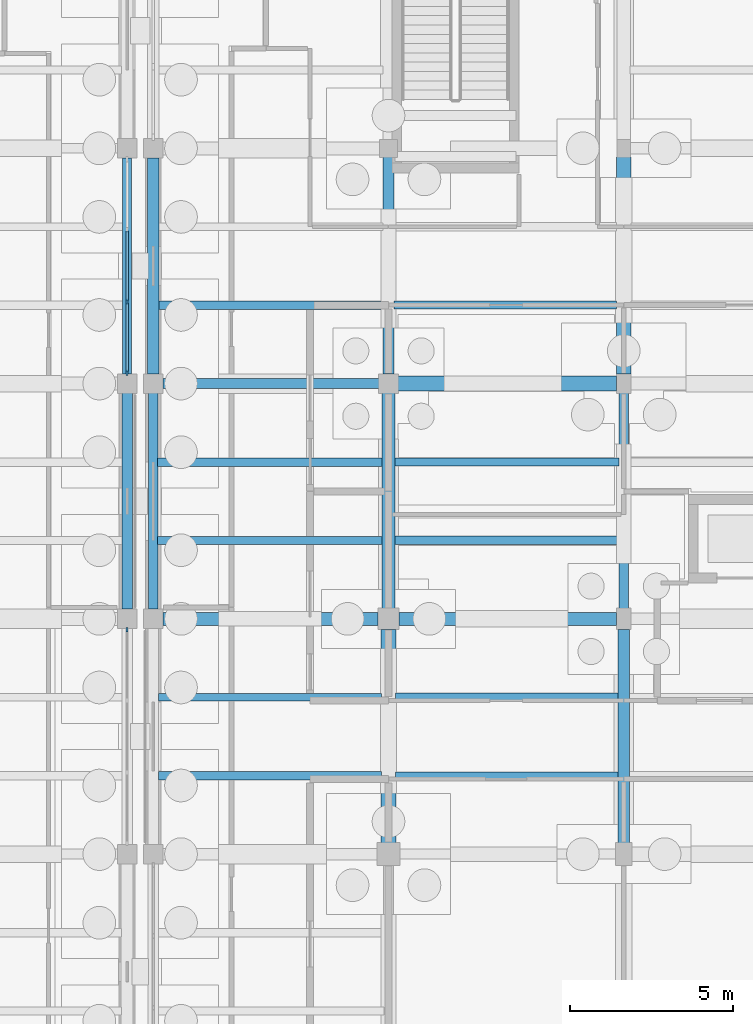
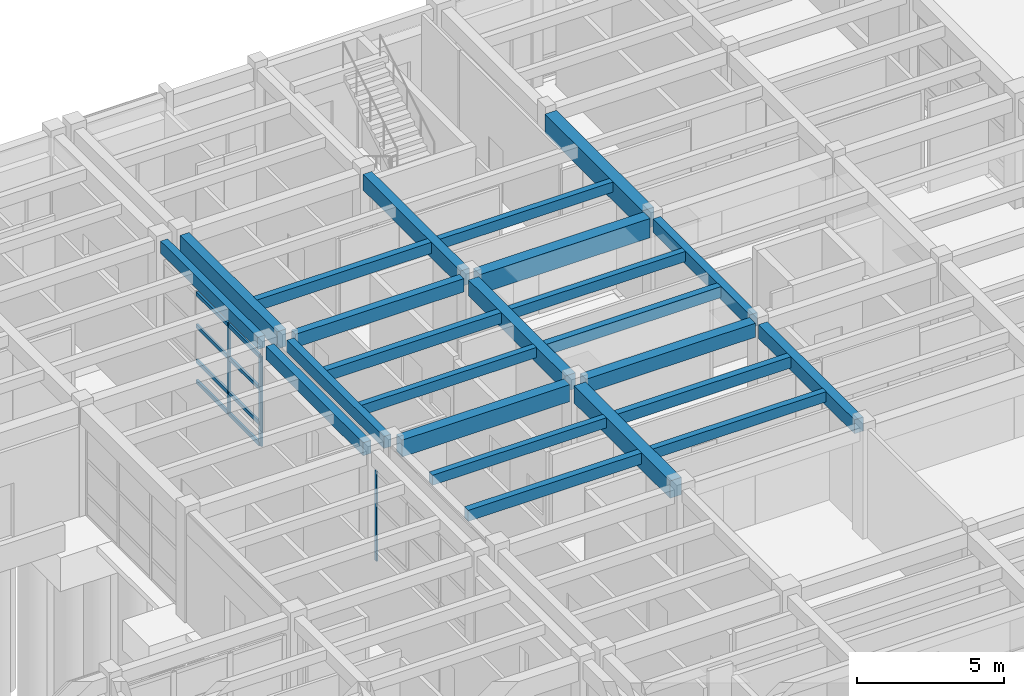
# One storey, part 69 of 143: 24 beams, 11 members, 2 elements without a shape of their own.
"""IFC4 building model written with IfcOpenShell, lengths in metres."""

from ifc_helpers import new_model, si_unit, direction, frame, origin, origin_2d, place, context, subcontext, project, spatial, rectangle, extrude, material, material_profile, profile_set, type_object, element, aggregate, save


model = new_model("IFC4")

# Units and contexts
model_context = context("Model", 3, precision=1e-05, world=origin(), true_north=direction((0.0, 1.0)))
body_context = subcontext(model_context, "Body", "Model", "MODEL_VIEW")
ifc_project = project(units=[si_unit("LENGTHUNIT", "METRE"), si_unit("AREAUNIT", "SQUARE_METRE"), si_unit("VOLUMEUNIT", "CUBIC_METRE"), si_unit("PLANEANGLEUNIT", "RADIAN"), si_unit("MASSUNIT", "GRAM", prefix="KILO")], contexts=[model_context])

# Site, building, storey
site_placement = place(None, origin())
site = spatial("IfcSite", under=ifc_project, at=site_placement, CompositionType="ELEMENT")
building_placement = place(site_placement, origin())
building = spatial("IfcBuilding", under=site, at=building_placement, Name="Steenspoor Specialist Clinic", CompositionType="ELEMENT")
storey_placement = place(building_placement, origin())
storey = spatial("IfcBuildingStorey", under=building, at=storey_placement, Name="L00", CompositionType="ELEMENT", Elevation=0.0)

# Beams
ifc_material_1 = material(Name="Concrete C35/45", Category="concrete")
ifc_material_profile_1 = material_profile(ifc_material_1, rectangle(XDim=0.300048828125, YDim=0.550048828125, at=origin_2d()), Name="RC-BM-300X550")
ifc_profile_set_1 = profile_set([ifc_material_profile_1], Name="Concrete C35/45")
beam_type_1 = type_object("IfcBeamType", Name="BM-RC-300X550", PredefinedType="BEAM", material=ifc_profile_set_1)
beam_1_placement = place(storey_placement, frame((118.294921875, 93.949951171875, 4.2451171875), z_axis=(1.0, 0.0, 0.0), x_axis=(0.0, 1.0, 0.0)))
element("IfcBeam", 1, at=beam_1_placement, inside=storey, type_object=beam_type_1, Name="BM-V6-L00-X1378", PredefinedType="BEAM", context=body_context, shape_type="SweptSolid", body=[
    extrude(rectangle(XDim=0.300048828125, YDim=0.550048828125, at=origin_2d()), origin(), (0.0, 0.0, 1.0), 6.610107421875),
])
beam_2_placement = place(storey_placement, frame((132.39990234375, 87.070068359375, 4.2451171875), z_axis=(0.0, 1.0, 0.0), x_axis=(-1.0, 0.0, 0.0)))
element("IfcBeam", 2, at=beam_2_placement, inside=storey, type_object=beam_type_1, Name="BM-V6-L00-Y1405", PredefinedType="BEAM", context=body_context, shape_type="SweptSolid", body=[
    extrude(rectangle(XDim=0.300048828125, YDim=0.550048828125, at=origin_2d()), origin(), (0.0, 0.0, 1.0), 6.5849609375),
])
ifc_material_profile_2 = material_profile(ifc_material_1, rectangle(XDim=0.35009765625, YDim=0.580078125, at=origin_2d()), Name="RC-BM-350X580")
ifc_profile_set_2 = profile_set([ifc_material_profile_2], Name="Concrete C35/45")
beam_type_2 = type_object("IfcBeamType", Name="BM-RC-350X580", PredefinedType="BEAM", material=ifc_profile_set_2)
beam_3_placement = place(storey_placement, frame((132.39990234375, 79.89501953125, 4.22998046875), z_axis=(0.0, 1.0, 0.0), x_axis=(-1.0, 0.0, 0.0)))
element("IfcBeam", 3, at=beam_3_placement, inside=storey, type_object=beam_type_2, Name="BM-V6-L00-Y1404", PredefinedType="BEAM", context=body_context, shape_type="SweptSolid", body=[
    extrude(rectangle(XDim=0.35009765625, YDim=0.580078125, at=origin_2d()), origin(), (0.0, 0.0, 1.0), 6.534912109375),
])
ifc_material_profile_3 = material_profile(ifc_material_1, rectangle(XDim=0.35009765625, YDim=0.64990234375, at=origin_2d()), Name="RC-BM-350X650")
ifc_profile_set_3 = profile_set([ifc_material_profile_3], Name="Concrete C35/45")
beam_type_3 = type_object("IfcBeamType", Name="BM-RC-350X650", PredefinedType="BEAM", material=ifc_profile_set_3)
beam_4_placement = place(storey_placement, frame((125.199951171875, 94.2451171875, 4.195068359375), z_axis=(0.0, 1.0, 0.0), x_axis=(-1.0, 0.0, 0.0)))
element("IfcBeam", 4, at=beam_4_placement, inside=storey, type_object=beam_type_3, Name="BM-V6-L00-Y1401", PredefinedType="BEAM", context=body_context, shape_type="SweptSolid", body=[
    extrude(rectangle(XDim=0.35009765625, YDim=0.64990234375, at=origin_2d()), origin(), (0.0, 0.0, 1.0), 6.634765625),
])
ifc_material_profile_4 = material_profile(ifc_material_1, rectangle(XDim=0.39990234375, YDim=0.580078125, at=origin_2d()), Name="RC-BM-400X580")
ifc_profile_set_4 = profile_set([ifc_material_profile_4], Name="Concrete C35/45")
beam_type_4 = type_object("IfcBeamType", Name="BM-RC-400X580", PredefinedType="BEAM", material=ifc_profile_set_4)
beam_5_placement = place(storey_placement, frame((125.52001953125, 86.75, 4.22998046875), z_axis=(1.0, 0.0, 0.0), x_axis=(0.0, 1.0, 0.0)))
element("IfcBeam", 5, at=beam_5_placement, inside=storey, type_object=beam_type_4, Name="BM-V6-L00-X1373", PredefinedType="BEAM", context=body_context, shape_type="SweptSolid", body=[
    extrude(rectangle(XDim=0.39990234375, YDim=0.580078125, at=origin_2d()), origin(), (0.0, 0.0, 1.0), 6.659912109375),
])
ifc_material_profile_5 = material_profile(ifc_material_1, rectangle(XDim=0.39990234375, YDim=0.64990234375, at=origin_2d()), Name="RC-BM-400X650")
ifc_profile_set_5 = profile_set([ifc_material_profile_5], Name="Concrete C35/45")
beam_type_5 = type_object("IfcBeamType", Name="BM-RC-400X650", PredefinedType="BEAM", material=ifc_profile_set_5)
beam_6_placement = place(storey_placement, frame((125.199951171875, 87.070068359375, 4.195068359375), z_axis=(0.0, 1.0, 0.0), x_axis=(-1.0, 0.0, 0.0)))
element("IfcBeam", 6, at=beam_6_placement, inside=storey, type_object=beam_type_5, Name="BM-V6-L00-Y1400", PredefinedType="BEAM", context=body_context, shape_type="SweptSolid", body=[
    extrude(rectangle(XDim=0.39990234375, YDim=0.64990234375, at=origin_2d()), origin(), (0.0, 0.0, 1.0), 6.5849609375),
])
ifc_material_profile_6 = material_profile(ifc_material_1, rectangle(XDim=0.39990234375, YDim=0.699951171875, at=origin_2d()), Name="RC-BM-400X700")
ifc_profile_set_6 = profile_set([ifc_material_profile_6], Name="Concrete C35/45")
beam_type_6 = type_object("IfcBeamType", Name="BM-RC-400X700", PredefinedType="BEAM", material=ifc_profile_set_6)
beam_7_placement = place(storey_placement, frame((118.294921875, 86.75, 4.169921875), z_axis=(1.0, 0.0, 0.0), x_axis=(0.0, 1.0, 0.0)))
element("IfcBeam", 7, at=beam_7_placement, inside=storey, type_object=beam_type_6, Name="BM-V6-L00-X1372", PredefinedType="BEAM", context=body_context, shape_type="SweptSolid", body=[
    extrude(rectangle(XDim=0.39990234375, YDim=0.699951171875, at=origin_2d()), origin(), (0.0, 0.0, 1.0), 6.5849609375),
])
ifc_material_profile_7 = material_profile(ifc_material_1, rectangle(XDim=0.449951171875, YDim=0.719970703125, at=origin_2d()), Name="RC-BM-450X720")
ifc_profile_set_7 = profile_set([ifc_material_profile_7], Name="Concrete C35/45")
beam_type_7 = type_object("IfcBeamType", Name="BM-RC-450X720", PredefinedType="BEAM", material=ifc_profile_set_7)
beam_8_placement = place(storey_placement, frame((125.199951171875, 79.89501953125, 4.159912109375), z_axis=(0.0, 1.0, 0.0), x_axis=(-1.0, 0.0, 0.0)))
element("IfcBeam", 8, at=beam_8_placement, inside=storey, type_object=beam_type_7, Name="BM-V6-L00-Y1399", PredefinedType="BEAM", context=body_context, shape_type="SweptSolid", body=[
    extrude(rectangle(XDim=0.449951171875, YDim=0.719970703125, at=origin_2d()), origin(), (0.0, 0.0, 1.0), 6.534912109375),
])
ifc_material_profile_8 = material_profile(ifc_material_1, rectangle(XDim=0.449951171875, YDim=0.800048828125, at=origin_2d()), Name="RC-BM-450X800")
ifc_profile_set_8 = profile_set([ifc_material_profile_8], Name="Concrete C35/45")
beam_type_8 = type_object("IfcBeamType", Name="BM-RC-450X800", PredefinedType="BEAM", material=ifc_profile_set_8)
beam_9_placement = place(storey_placement, frame((125.4951171875, 93.949951171875, 4.1201171875), z_axis=(1.0, 0.0, 0.0), x_axis=(0.0, 1.0, 0.0)))
element("IfcBeam", 9, at=beam_9_placement, inside=storey, type_object=beam_type_8, Name="BM-V6-L00-X1379", PredefinedType="BEAM", context=body_context, shape_type="SweptSolid", body=[
    extrude(rectangle(XDim=0.449951171875, YDim=0.800048828125, at=origin_2d()), origin(), (0.0, 0.0, 1.0), 6.684814453125),
])
beam_10_placement = place(storey_placement, frame((132.39990234375, 94.2451171875, 4.1201171875), z_axis=(0.0, 1.0, 0.0), x_axis=(-1.0, 0.0, 0.0)))
element("IfcBeam", 10, at=beam_10_placement, inside=storey, type_object=beam_type_8, Name="BM-V6-L00-Y1406", PredefinedType="BEAM", context=body_context, shape_type="SweptSolid", body=[
    extrude(rectangle(XDim=0.449951171875, YDim=0.800048828125, at=origin_2d()), origin(), (0.0, 0.0, 1.0), 6.634765625),
])

# Curtain wall, member
ifc_material_2 = material(Name="Thermally broken aluminium and low-emissivity glass", Category="aluminium")
curtain_wall_type_1 = type_object("IfcCurtainWallType", Name="CW-HALL-480X820", PredefinedType="USERDEFINED", material=ifc_material_2)
curtain_wall_1_placement = place(storey_placement, origin())
curtain_wall_1 = element("IfcCurtainWall", 11, at=curtain_wall_1_placement, inside=storey, type_object=curtain_wall_type_1, Name="Unitised Curtain Wall CW-V4-L00-051", ObjectType="UNITISED GLAZING", PredefinedType="USERDEFINED")
ifc_material_3 = material(Name="Thermally broken aluminium 6063-T6", Category="aluminium")
ifc_material_profile_9 = material_profile(ifc_material_3, rectangle(XDim=0.06494140625, YDim=0.14990234375, at=origin_2d()), Name="CWM-65X150")
ifc_profile_set_9 = profile_set([ifc_material_profile_9], Name="Thermally broken aluminium 6063-T6")
member_type_1 = type_object("IfcMemberType", Name="CW-MULL-65X150", PredefinedType="MULLION", material=ifc_profile_set_9)
member_1_placement = place(storey_placement, frame((117.199951171875, 86.41748046875, 0.0), z_axis=(0.0, 0.0, 1.0), x_axis=(1.0, 0.0, 0.0)))
member_1 = element("IfcMember", 12, at=member_1_placement, type_object=member_type_1, Name="CW-03 mullion 1", PredefinedType="MULLION", context=body_context, shape_type="SweptSolid", body=[
    extrude(rectangle(XDim=0.06494140625, YDim=0.14990234375, at=origin_2d()), origin(), (0.0, 0.0, 1.0), 3.72998046875),
])
aggregate(curtain_wall_1, [member_1])

# Curtain wall, members
curtain_wall_type_2 = type_object("IfcCurtainWallType", Name="CW-HALL-650X820", PredefinedType="USERDEFINED", material=ifc_material_2)
curtain_wall_2_placement = place(storey_placement, origin())
curtain_wall_2 = element("IfcCurtainWall", 13, at=curtain_wall_2_placement, inside=storey, type_object=curtain_wall_type_2, Name="Unitised Curtain Wall CW-V4-L00-050", ObjectType="UNITISED GLAZING", PredefinedType="USERDEFINED")
ifc_material_profile_10 = material_profile(ifc_material_3, rectangle(XDim=0.070068359375, YDim=0.1650390625, at=origin_2d()), Name="CWM-70X165")
ifc_profile_set_10 = profile_set([ifc_material_profile_10], Name="Thermally broken aluminium 6063-T6")
member_type_2 = type_object("IfcMemberType", Name="CW-MULL-70X165", PredefinedType="MULLION", material=ifc_profile_set_10)
member_2_placement = place(storey_placement, frame((117.199951171875, 96.449951171875, 0.0), z_axis=(0.0, 0.0, 1.0), x_axis=(1.0, 0.0, 0.0)))
member_2 = element("IfcMember", 14, at=member_2_placement, type_object=member_type_2, Name="CW-02 mullion 3", PredefinedType="MULLION", context=body_context, shape_type="SweptSolid", body=[
    extrude(rectangle(XDim=0.070068359375, YDim=0.1650390625, at=origin_2d()), origin(), (0.0, 0.0, 1.0), 3.72998046875),
])
member_3_placement = place(storey_placement, frame((117.199951171875, 94.284912109375, 0.0), z_axis=(0.0, 0.0, 1.0), x_axis=(1.0, 0.0, 0.0)))
member_3 = element("IfcMember", 15, at=member_3_placement, type_object=member_type_2, Name="CW-02 mullion 4", PredefinedType="MULLION", context=body_context, shape_type="SweptSolid", body=[
    extrude(rectangle(XDim=0.070068359375, YDim=0.1650390625, at=origin_2d()), origin(), (0.0, 0.0, 1.0), 3.72998046875),
])
ifc_material_profile_11 = material_profile(ifc_material_3, rectangle(XDim=0.080078125, YDim=0.159912109375, at=origin_2d()), Name="CWT-80X160")
ifc_profile_set_11 = profile_set([ifc_material_profile_11], Name="Thermally broken aluminium 6063-T6")
member_type_3 = type_object("IfcMemberType", Name="CW-TRAN-80X160", PredefinedType="USERDEFINED", material=ifc_profile_set_11)
member_4_placement = place(storey_placement, frame((117.199951171875, 98.614990234375, 0.0400390625), z_axis=(0.0, -1.0, 0.0), x_axis=(1.0, 0.0, 0.0)))
member_4 = element("IfcMember", 16, at=member_4_placement, type_object=member_type_3, Name="CW-02 transom 2.1", ObjectType="TRANSOM", PredefinedType="USERDEFINED", context=body_context, shape_type="SweptSolid", body=[
    extrude(rectangle(XDim=0.080078125, YDim=0.159912109375, at=origin_2d()), origin(), (0.0, 0.0, 1.0), 2.1298828125),
])
member_5_placement = place(storey_placement, frame((117.199951171875, 98.614990234375, 0.89990234375), z_axis=(0.0, -1.0, 0.0), x_axis=(1.0, 0.0, 0.0)))
member_5 = element("IfcMember", 17, at=member_5_placement, type_object=member_type_3, Name="CW-02 transom 2.2", ObjectType="TRANSOM", PredefinedType="USERDEFINED", context=body_context, shape_type="SweptSolid", body=[
    extrude(rectangle(XDim=0.080078125, YDim=0.159912109375, at=origin_2d()), origin(), (0.0, 0.0, 1.0), 2.1298828125),
])
member_6_placement = place(storey_placement, frame((117.199951171875, 98.614990234375, 2.35009765625), z_axis=(0.0, -1.0, 0.0), x_axis=(1.0, 0.0, 0.0)))
member_6 = element("IfcMember", 18, at=member_6_placement, type_object=member_type_3, Name="CW-02 transom 2.3", ObjectType="TRANSOM", PredefinedType="USERDEFINED", context=body_context, shape_type="SweptSolid", body=[
    extrude(rectangle(XDim=0.080078125, YDim=0.159912109375, at=origin_2d()), origin(), (0.0, 0.0, 1.0), 2.1298828125),
])
member_7_placement = place(storey_placement, frame((117.199951171875, 98.614990234375, 3.68994140625), z_axis=(0.0, -1.0, 0.0), x_axis=(1.0, 0.0, 0.0)))
member_7 = element("IfcMember", 19, at=member_7_placement, type_object=member_type_3, Name="CW-02 transom 2.4", ObjectType="TRANSOM", PredefinedType="USERDEFINED", context=body_context, shape_type="SweptSolid", body=[
    extrude(rectangle(XDim=0.080078125, YDim=0.159912109375, at=origin_2d()), origin(), (0.0, 0.0, 1.0), 2.1298828125),
])
member_8_placement = place(storey_placement, frame((117.199951171875, 96.4150390625, 0.0400390625), z_axis=(0.0, -1.0, 0.0), x_axis=(1.0, 0.0, 0.0)))
member_8 = element("IfcMember", 20, at=member_8_placement, type_object=member_type_3, Name="CW-02 transom 3.1", ObjectType="TRANSOM", PredefinedType="USERDEFINED", context=body_context, shape_type="SweptSolid", body=[
    extrude(rectangle(XDim=0.080078125, YDim=0.159912109375, at=origin_2d()), origin(), (0.0, 0.0, 1.0), 2.094970703125),
])
member_9_placement = place(storey_placement, frame((117.199951171875, 96.4150390625, 0.89990234375), z_axis=(0.0, -1.0, 0.0), x_axis=(1.0, 0.0, 0.0)))
member_9 = element("IfcMember", 21, at=member_9_placement, type_object=member_type_3, Name="CW-02 transom 3.2", ObjectType="TRANSOM", PredefinedType="USERDEFINED", context=body_context, shape_type="SweptSolid", body=[
    extrude(rectangle(XDim=0.080078125, YDim=0.159912109375, at=origin_2d()), origin(), (0.0, 0.0, 1.0), 2.094970703125),
])
member_10_placement = place(storey_placement, frame((117.199951171875, 96.4150390625, 2.35009765625), z_axis=(0.0, -1.0, 0.0), x_axis=(1.0, 0.0, 0.0)))
member_10 = element("IfcMember", 22, at=member_10_placement, type_object=member_type_3, Name="CW-02 transom 3.3", ObjectType="TRANSOM", PredefinedType="USERDEFINED", context=body_context, shape_type="SweptSolid", body=[
    extrude(rectangle(XDim=0.080078125, YDim=0.159912109375, at=origin_2d()), origin(), (0.0, 0.0, 1.0), 2.094970703125),
])
member_11_placement = place(storey_placement, frame((117.199951171875, 96.4150390625, 3.68994140625), z_axis=(0.0, -1.0, 0.0), x_axis=(1.0, 0.0, 0.0)))
member_11 = element("IfcMember", 23, at=member_11_placement, type_object=member_type_3, Name="CW-02 transom 3.4", ObjectType="TRANSOM", PredefinedType="USERDEFINED", context=body_context, shape_type="SweptSolid", body=[
    extrude(rectangle(XDim=0.080078125, YDim=0.159912109375, at=origin_2d()), origin(), (0.0, 0.0, 1.0), 2.094970703125),
])
aggregate(curtain_wall_2, [member_2, member_3, member_4, member_5, member_6, member_7, member_8, member_9, member_10, member_11])

# Beams
ifc_material_profile_12 = material_profile(ifc_material_1, rectangle(XDim=0.239990234375, YDim=0.419921875, at=origin_2d()), Name="RC-JT-240X420")
ifc_profile_set_12 = profile_set([ifc_material_profile_12], Name="Concrete C35/45")
beam_type_9 = type_object("IfcBeamType", Name="JT-RC-240X420", PredefinedType="JOIST", material=ifc_profile_set_12)
beam_11_placement = place(storey_placement, frame((118.155029296875, 84.35009765625, 4.31005859375), z_axis=(1.0, 0.0, 0.0), x_axis=(0.0, 1.0, 0.0)))
element("IfcBeam", 24, at=beam_11_placement, inside=storey, type_object=beam_type_9, Name="JT-V6-L00-1433", PredefinedType="JOIST", context=body_context, shape_type="SweptSolid", body=[
    extrude(rectangle(XDim=0.239990234375, YDim=0.419921875, at=origin_2d()), origin(), (0.0, 0.0, 1.0), 6.824951171875),
])
beam_12_placement = place(storey_placement, frame((118.135009765625, 89.14990234375, 4.31005859375), z_axis=(1.0, 0.0, 0.0), x_axis=(0.0, 1.0, 0.0)))
element("IfcBeam", 25, at=beam_12_placement, inside=storey, type_object=beam_type_9, Name="JT-V6-L00-1434", PredefinedType="JOIST", context=body_context, shape_type="SweptSolid", body=[
    extrude(rectangle(XDim=0.239990234375, YDim=0.419921875, at=origin_2d()), origin(), (0.0, 0.0, 1.0), 6.869873046875),
])
beam_13_placement = place(storey_placement, frame((125.419921875, 81.949951171875, 4.31005859375), z_axis=(1.0, 0.0, 0.0), x_axis=(0.0, 1.0, 0.0)))
element("IfcBeam", 26, at=beam_13_placement, inside=storey, type_object=beam_type_9, Name="JT-V6-L00-1442", PredefinedType="JOIST", context=body_context, shape_type="SweptSolid", body=[
    extrude(rectangle(XDim=0.239990234375, YDim=0.419921875, at=origin_2d()), origin(), (0.0, 0.0, 1.0), 6.81005859375),
])
beam_14_placement = place(storey_placement, frame((125.39501953125, 91.550048828125, 4.31005859375), z_axis=(1.0, 0.0, 0.0), x_axis=(0.0, 1.0, 0.0)))
element("IfcBeam", 27, at=beam_14_placement, inside=storey, type_object=beam_type_9, Name="JT-V6-L00-1445", PredefinedType="JOIST", context=body_context, shape_type="SweptSolid", body=[
    extrude(rectangle(XDim=0.239990234375, YDim=0.419921875, at=origin_2d()), origin(), (0.0, 0.0, 1.0), 6.85986328125),
])
beam_15_placement = place(storey_placement, frame((125.3701171875, 96.35009765625, 4.31005859375), z_axis=(1.0, 0.0, 0.0), x_axis=(0.0, 1.0, 0.0)))
element("IfcBeam", 28, at=beam_15_placement, inside=storey, type_object=beam_type_9, Name="JT-V6-L00-1446", PredefinedType="JOIST", context=body_context, shape_type="SweptSolid", body=[
    extrude(rectangle(XDim=0.239990234375, YDim=0.419921875, at=origin_2d()), origin(), (0.0, 0.0, 1.0), 6.809814453125),
])
ifc_material_profile_13 = material_profile(ifc_material_1, rectangle(XDim=0.260009765625, YDim=0.4599609375, at=origin_2d()), Name="RC-JT-260X460")
ifc_profile_set_13 = profile_set([ifc_material_profile_13], Name="Concrete C35/45")
beam_type_10 = type_object("IfcBeamType", Name="JT-RC-260X460", PredefinedType="JOIST", material=ifc_profile_set_13)
beam_16_placement = place(storey_placement, frame((118.155029296875, 81.949951171875, 4.2900390625), z_axis=(1.0, 0.0, 0.0), x_axis=(0.0, 1.0, 0.0)))
element("IfcBeam", 29, at=beam_16_placement, inside=storey, type_object=beam_type_10, Name="JT-V6-L00-1432", PredefinedType="JOIST", context=body_context, shape_type="SweptSolid", body=[
    extrude(rectangle(XDim=0.260009765625, YDim=0.4599609375, at=origin_2d()), origin(), (0.0, 0.0, 1.0), 6.824951171875),
])
beam_17_placement = place(storey_placement, frame((118.135009765625, 91.550048828125, 4.2900390625), z_axis=(1.0, 0.0, 0.0), x_axis=(0.0, 1.0, 0.0)))
element("IfcBeam", 30, at=beam_17_placement, inside=storey, type_object=beam_type_10, Name="JT-V6-L00-1435", PredefinedType="JOIST", context=body_context, shape_type="SweptSolid", body=[
    extrude(rectangle(XDim=0.260009765625, YDim=0.4599609375, at=origin_2d()), origin(), (0.0, 0.0, 1.0), 6.869873046875),
])
beam_18_placement = place(storey_placement, frame((118.175048828125, 96.35009765625, 4.2900390625), z_axis=(1.0, 0.0, 0.0), x_axis=(0.0, 1.0, 0.0)))
element("IfcBeam", 31, at=beam_18_placement, inside=storey, type_object=beam_type_10, Name="JT-V6-L00-1436", PredefinedType="JOIST", context=body_context, shape_type="SweptSolid", body=[
    extrude(rectangle(XDim=0.260009765625, YDim=0.4599609375, at=origin_2d()), origin(), (0.0, 0.0, 1.0), 6.85498046875),
])
beam_19_placement = place(storey_placement, frame((125.419921875, 84.35009765625, 4.2900390625), z_axis=(1.0, 0.0, 0.0), x_axis=(0.0, 1.0, 0.0)))
element("IfcBeam", 32, at=beam_19_placement, inside=storey, type_object=beam_type_10, Name="JT-V6-L00-1443", PredefinedType="JOIST", context=body_context, shape_type="SweptSolid", body=[
    extrude(rectangle(XDim=0.260009765625, YDim=0.4599609375, at=origin_2d()), origin(), (0.0, 0.0, 1.0), 6.81005859375),
])
beam_20_placement = place(storey_placement, frame((125.39501953125, 89.14990234375, 4.2900390625), z_axis=(1.0, 0.0, 0.0), x_axis=(0.0, 1.0, 0.0)))
element("IfcBeam", 33, at=beam_20_placement, inside=storey, type_object=beam_type_10, Name="JT-V6-L00-1444", PredefinedType="JOIST", context=body_context, shape_type="SweptSolid", body=[
    extrude(rectangle(XDim=0.260009765625, YDim=0.4599609375, at=origin_2d()), origin(), (0.0, 0.0, 1.0), 6.85986328125),
])
ifc_material_profile_14 = material_profile(ifc_material_1, rectangle(XDim=0.280029296875, YDim=0.5, at=origin_2d()), Name="RC-SP-280X500")
ifc_profile_set_14 = profile_set([ifc_material_profile_14], Name="Concrete C35/45")
beam_type_11 = type_object("IfcBeamType", Name="SP-RC-280X500", PredefinedType="SPANDREL", material=ifc_profile_set_14)
beam_21_placement = place(storey_placement, frame((117.199951171875, 94.2451171875, 4.300048828125), z_axis=(0.0, 1.0, 0.0), x_axis=(-1.0, 0.0, 0.0)))
element("IfcBeam", 34, at=beam_21_placement, inside=storey, type_object=beam_type_11, Name="BM-V4-L00-Y0395", PredefinedType="SPANDREL", context=body_context, shape_type="SweptSolid", body=[
    extrude(rectangle(XDim=0.280029296875, YDim=0.5, at=origin_2d()), origin(), (0.0, 0.0, 1.0), 6.60986328125),
])
beam_22_placement = place(storey_placement, frame((118.0, 87.044921875, 4.27001953125), z_axis=(0.0, 1.0, 0.0), x_axis=(-1.0, 0.0, 0.0)))
element("IfcBeam", 35, at=beam_22_placement, inside=storey, type_object=beam_type_11, Name="BM-V6-L00-Y1394", PredefinedType="SPANDREL", context=body_context, shape_type="SweptSolid", body=[
    extrude(rectangle(XDim=0.280029296875, YDim=0.5, at=origin_2d()), origin(), (0.0, 0.0, 1.0), 6.610107421875),
])
ifc_material_profile_15 = material_profile(ifc_material_1, rectangle(XDim=0.320068359375, YDim=0.5400390625, at=origin_2d()), Name="RC-SP-320X540")
ifc_profile_set_15 = profile_set([ifc_material_profile_15], Name="Concrete C35/45")
beam_type_12 = type_object("IfcBeamType", Name="SP-RC-320X540", PredefinedType="SPANDREL", material=ifc_profile_set_15)
beam_23_placement = place(storey_placement, frame((117.199951171875, 87.044921875, 4.280029296875), z_axis=(0.0, 1.0, 0.0), x_axis=(-1.0, 0.0, 0.0)))
element("IfcBeam", 36, at=beam_23_placement, inside=storey, type_object=beam_type_12, Name="BM-V4-L00-Y0394", PredefinedType="SPANDREL", context=body_context, shape_type="SweptSolid", body=[
    extrude(rectangle(XDim=0.320068359375, YDim=0.5400390625, at=origin_2d()), origin(), (0.0, 0.0, 1.0), 6.610107421875),
])
ifc_material_profile_16 = material_profile(ifc_material_1, rectangle(XDim=0.360107421875, YDim=0.719970703125, at=origin_2d()), Name="RC-SP-360X720")
ifc_profile_set_16 = profile_set([ifc_material_profile_16], Name="Concrete C35/45")
beam_type_13 = type_object("IfcBeamType", Name="SP-RC-360X720", PredefinedType="SPANDREL", material=ifc_profile_set_16)
beam_24_placement = place(storey_placement, frame((118.0, 94.2451171875, 4.159912109375), z_axis=(0.0, 1.0, 0.0), x_axis=(-1.0, 0.0, 0.0)))
element("IfcBeam", 37, at=beam_24_placement, inside=storey, type_object=beam_type_13, Name="BM-V6-L00-Y1395", PredefinedType="SPANDREL", context=body_context, shape_type="SweptSolid", body=[
    extrude(rectangle(XDim=0.360107421875, YDim=0.719970703125, at=origin_2d()), origin(), (0.0, 0.0, 1.0), 6.60986328125),
])

save(model, "model.ifc")
